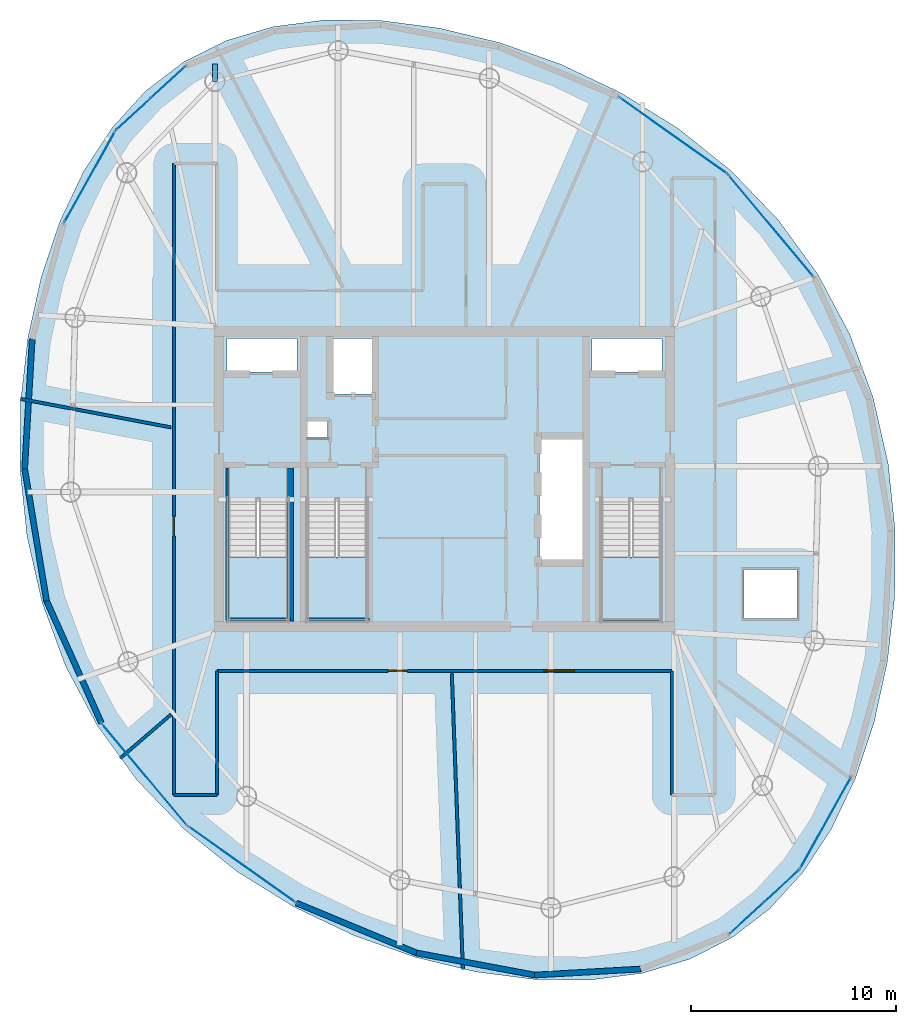
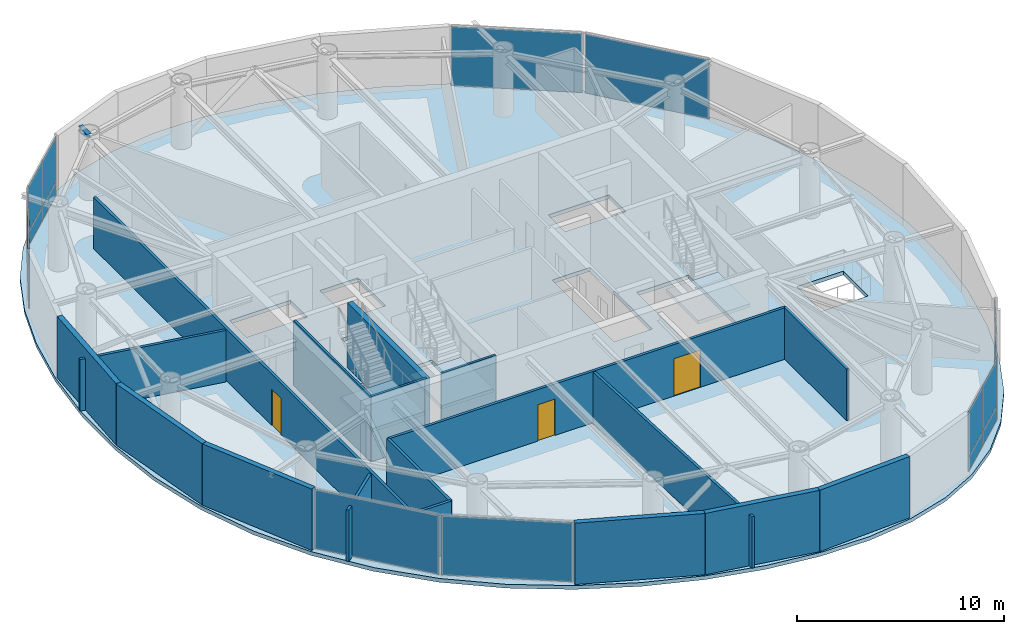
# One storey, part 11 of 17: 18 walls, 14 plates, 4 slabs, 3 doors, 1 beam, 3 openings, 11 elements without a shape of their own.
"""IFC4 building model written with IfcOpenShell, lengths in metres."""

from ifc_helpers import new_model, si_unit, direction, frame, frame_2d, origin, origin_2d, place, context, subcontext, project, spatial, polyline, rectangle, i_section, outline, extrude, material, layer, layer_set, material_profile, profile_set, type_object, element, fill, aggregate, save


model = new_model("IFC4")

# Units and contexts
model_context = context("Model", 3, precision=1e-05, world=origin(), true_north=direction((0.0, 1.0)))
body_context = subcontext(model_context, "Body", "Model", "MODEL_VIEW")
ifc_project = project(units=[si_unit("LENGTHUNIT", "METRE"), si_unit("AREAUNIT", "SQUARE_METRE"), si_unit("VOLUMEUNIT", "CUBIC_METRE"), si_unit("PLANEANGLEUNIT", "RADIAN"), si_unit("MASSUNIT", "GRAM", prefix="KILO")], contexts=[model_context])

# Site, building, storey
site_placement = place(None, origin())
site = spatial("IfcSite", under=ifc_project, at=site_placement, CompositionType="ELEMENT")
building_placement = place(site_placement, origin())
building = spatial("IfcBuilding", under=site, at=building_placement, Name="Bramvorn Convention Spire", CompositionType="ELEMENT")
storey_placement = place(building_placement, frame((0.0, 0.0, 265.14990234375)))
storey = spatial("IfcBuildingStorey", under=building, at=storey_placement, Name="L67", CompositionType="ELEMENT", Elevation=265.14990234375)

# Beam
ifc_material_1 = material(Name="Steel CSA G40.21 Grade 350 (350W)", Category="steel")
ifc_material_profile = material_profile(ifc_material_1, i_section(OverallWidth=0.25390625, OverallDepth=0.2529296875, WebThickness=0.008544921875, FlangeThickness=0.01416015625, FilletRadius=0.011962890625, at=origin_2d()))
ifc_profile_set = profile_set([ifc_material_profile], Name="Steel CSA G40.21 Grade 350 (350W) - W250X73")
beam_type = type_object("IfcBeamType", Name="BM-W250X73", PredefinedType="BEAM", material=ifc_profile_set)
beam_placement = place(storey_placement, frame((26.800048828125, 45.39892578125, 3.49853515625), z_axis=(0.0, 1.0, 0.0), x_axis=(-1.0, 0.0, 0.0)))
element("IfcBeam", 1, at=beam_placement, inside=storey, type_object=beam_type, Name="L67 slab-edge cantilever tip beam MC09", PredefinedType="BEAM", context=body_context, shape_type="SweptSolid", body=[
    extrude(i_section(OverallWidth=0.25390625, OverallDepth=0.2529296875, WebThickness=0.008544921875, FlangeThickness=0.01416015625, FilletRadius=0.011962890625, at=origin_2d()), origin(), (0.0, 0.0, 1.0), 0.851806640625),
])

# Curtain wall, plates
ifc_material_2 = material(Name="Anodised Bronze Unitised Curtain Wall", Category="aluminium")
ifc_layer_1 = layer(ifc_material_2, 0.179931640625)
ifc_layer_set_1 = layer_set([ifc_layer_1], Name="Anodised Bronze Unitised Curtain Wall - CW-OFF-FRIT")
curtain_wall_type = type_object("IfcCurtainWallType", Name="CW-OFF-FRIT", PredefinedType="USERDEFINED", material=ifc_layer_set_1)
curtain_wall_1_placement = place(storey_placement, origin())
curtain_wall_1 = element("IfcCurtainWall", 2, at=curtain_wall_1_placement, inside=storey, type_object=curtain_wall_type, Name="L67 fritted glass curtain wall 01", ObjectType="UNITISED CURTAIN WALL", PredefinedType="USERDEFINED")
ifc_material_3 = material(Name="Laminated Low-E Glass (Triple IGU High-VLT Low-Iron 22%)", Category="glass")
ifc_layer_2 = layer(ifc_material_3, 0.0419921875)
ifc_layer_set_2 = layer_set([ifc_layer_2], Name="Laminated Low-E Glass (Triple IGU High-VLT Low-Iron 22%) - PNL-IGU-4")
plate_type = type_object("IfcPlateType", Name="PNL-IGU-4", PredefinedType="CURTAIN_PANEL", material=ifc_layer_set_2)
plate_1_placement = place(storey_placement, frame((54.44921875, 6.160888671875, 0.06005859375), z_axis=(0.0, 0.0, 1.0), x_axis=(-0.736136685891, -0.676832903814, 0.0)))
plate_1 = element("IfcPlate", 3, at=plate_1_placement, type_object=plate_type, Name="CW3 panel 1.1", PredefinedType="CURTAIN_PANEL", context=body_context, shape_type="SweptSolid", body=[
    extrude(rectangle(XDim=2.2353515625, YDim=0.028076171875, at=origin_2d()), origin(), (0.0, 0.0, 1.0), 0.81005859375),
])
plate_2_placement = place(storey_placement, frame((54.44921875, 6.160888671875, 0.93017578125), z_axis=(0.0, 0.0, 1.0), x_axis=(-0.736136685891, -0.676832903814, 0.0)))
plate_2 = element("IfcPlate", 4, at=plate_2_placement, type_object=plate_type, Name="CW3 panel 1.2", PredefinedType="CURTAIN_PANEL", context=body_context, shape_type="SweptSolid", body=[
    extrude(rectangle(XDim=2.2353515625, YDim=0.028076171875, at=origin_2d()), origin(), (0.0, 0.0, 1.0), 2.635009765625),
])
plate_3_placement = place(storey_placement, frame((52.759521484375, 4.607177734375, 0.06005859375), z_axis=(0.0, 0.0, 1.0), x_axis=(-0.736136685891, -0.676832903814, 0.0)))
plate_3 = element("IfcPlate", 5, at=plate_3_placement, type_object=plate_type, Name="CW3 panel 2.1", PredefinedType="CURTAIN_PANEL", context=body_context, shape_type="SweptSolid", body=[
    extrude(rectangle(XDim=2.2353515625, YDim=0.028076171875, at=origin_2d()), origin(), (0.0, 0.0, 1.0), 0.81005859375),
])
plate_4_placement = place(storey_placement, frame((52.759521484375, 4.607177734375, 0.93017578125), z_axis=(0.0, 0.0, 1.0), x_axis=(-0.736136685891, -0.676832903814, 0.0)))
plate_4 = element("IfcPlate", 6, at=plate_4_placement, type_object=plate_type, Name="CW3 panel 2.2", PredefinedType="CURTAIN_PANEL", context=body_context, shape_type="SweptSolid", body=[
    extrude(rectangle(XDim=2.2353515625, YDim=0.028076171875, at=origin_2d()), origin(), (0.0, 0.0, 1.0), 2.635009765625),
])
aggregate(curtain_wall_1, [plate_1, plate_2, plate_3, plate_4])

# Curtain wall, plate
curtain_wall_2_placement = place(storey_placement, origin())
curtain_wall_2 = element("IfcCurtainWall", 7, at=curtain_wall_2_placement, inside=storey, type_object=curtain_wall_type, Name="L67 fritted glass curtain wall 02", ObjectType="UNITISED CURTAIN WALL", PredefinedType="USERDEFINED")
plate_5_placement = place(storey_placement, frame((56.577392578125, 9.219482421875, 0.06005859375), z_axis=(0.0, 0.0, 1.0), x_axis=(-0.487014500767, -0.873393883676, 0.0)))
plate_5 = element("IfcPlate", 8, at=plate_5_placement, type_object=plate_type, Name="CW3 panel 1.1", PredefinedType="CURTAIN_PANEL", context=body_context, shape_type="SweptSolid", body=[
    extrude(rectangle(XDim=5.05908203125, YDim=0.028076171875, at=origin_2d()), origin(), (0.0, 0.0, 1.0), 3.5048828125),
])
aggregate(curtain_wall_2, [plate_5])

curtain_wall_3_placement = place(storey_placement, origin())
curtain_wall_3 = element("IfcCurtainWall", 9, at=curtain_wall_3_placement, inside=storey, type_object=curtain_wall_type, Name="L67 fritted glass curtain wall 07", ObjectType="UNITISED CURTAIN WALL", PredefinedType="USERDEFINED")
plate_6_placement = place(storey_placement, frame((53.916259765625, 38.363037109375, 0.06005859375), z_axis=(0.0, 0.0, 1.0), x_axis=(0.64186920143, -0.766814141925, 0.0)))
plate_6 = element("IfcPlate", 10, at=plate_6_placement, type_object=plate_type, Name="CW3 panel 1.1", PredefinedType="CURTAIN_PANEL", context=body_context, shape_type="SweptSolid", body=[
    extrude(rectangle(XDim=6.406982421875, YDim=0.028076171875, at=origin_2d()), origin(), (0.0, 0.0, 1.0), 3.5048828125),
])
aggregate(curtain_wall_3, [plate_6])

curtain_wall_4_placement = place(storey_placement, origin())
curtain_wall_4 = element("IfcCurtainWall", 11, at=curtain_wall_4_placement, inside=storey, type_object=curtain_wall_type, Name="L67 fritted glass curtain wall 08", ObjectType="UNITISED CURTAIN WALL", PredefinedType="USERDEFINED")
plate_7_placement = place(storey_placement, frame((49.15966796875, 42.753173828125, 0.06005859375), z_axis=(0.0, 0.0, 1.0), x_axis=(0.81570725684, -0.578464926455, 0.0)))
plate_7 = element("IfcPlate", 12, at=plate_7_placement, type_object=plate_type, Name="CW3 panel 1.1", PredefinedType="CURTAIN_PANEL", context=body_context, shape_type="SweptSolid", body=[
    extrude(rectangle(XDim=6.40625, YDim=0.028076171875, at=origin_2d()), origin(), (0.0, 0.0, 1.0), 3.5048828125),
])
aggregate(curtain_wall_4, [plate_7])

# Curtain wall, plates
curtain_wall_5_placement = place(storey_placement, origin())
curtain_wall_5 = element("IfcCurtainWall", 13, at=curtain_wall_5_placement, inside=storey, type_object=curtain_wall_type, Name="L67 fritted glass curtain wall 13", ObjectType="UNITISED CURTAIN WALL", PredefinedType="USERDEFINED")
plate_8_placement = place(storey_placement, frame((22.82421875, 43.804931640625, 0.06005859375), z_axis=(0.0, 0.0, 1.0), x_axis=(0.736136685891, 0.676832903814, 0.0)))
plate_8 = element("IfcPlate", 14, at=plate_8_placement, type_object=plate_type, Name="CW3 panel 1.1", PredefinedType="CURTAIN_PANEL", context=body_context, shape_type="SweptSolid", body=[
    extrude(rectangle(XDim=2.2353515625, YDim=0.028076171875, at=origin_2d()), origin(), (0.0, 0.0, 1.0), 0.81005859375),
])
plate_9_placement = place(storey_placement, frame((22.82421875, 43.804931640625, 0.93017578125), z_axis=(0.0, 0.0, 1.0), x_axis=(0.736136685891, 0.676832903814, 0.0)))
plate_9 = element("IfcPlate", 15, at=plate_9_placement, type_object=plate_type, Name="CW3 panel 1.2", PredefinedType="CURTAIN_PANEL", context=body_context, shape_type="SweptSolid", body=[
    extrude(rectangle(XDim=2.2353515625, YDim=0.028076171875, at=origin_2d()), origin(), (0.0, 0.0, 1.0), 2.635009765625),
])
plate_10_placement = place(storey_placement, frame((24.513916015625, 45.358642578125, 0.06005859375), z_axis=(0.0, 0.0, 1.0), x_axis=(0.736136685891, 0.676832903814, 0.0)))
plate_10 = element("IfcPlate", 16, at=plate_10_placement, type_object=plate_type, Name="CW3 panel 2.1", PredefinedType="CURTAIN_PANEL", context=body_context, shape_type="SweptSolid", body=[
    extrude(rectangle(XDim=2.2353515625, YDim=0.028076171875, at=origin_2d()), origin(), (0.0, 0.0, 1.0), 0.81005859375),
])
plate_11_placement = place(storey_placement, frame((24.513916015625, 45.358642578125, 0.93017578125), z_axis=(0.0, 0.0, 1.0), x_axis=(0.736136685891, 0.676832903814, 0.0)))
plate_11 = element("IfcPlate", 17, at=plate_11_placement, type_object=plate_type, Name="CW3 panel 2.2", PredefinedType="CURTAIN_PANEL", context=body_context, shape_type="SweptSolid", body=[
    extrude(rectangle(XDim=2.2353515625, YDim=0.028076171875, at=origin_2d()), origin(), (0.0, 0.0, 1.0), 2.635009765625),
])
aggregate(curtain_wall_5, [plate_8, plate_9, plate_10, plate_11])

# Curtain wall, plate
curtain_wall_6_placement = place(storey_placement, origin())
curtain_wall_6 = element("IfcCurtainWall", 18, at=curtain_wall_6_placement, inside=storey, type_object=curtain_wall_type, Name="L67 fritted glass curtain wall 14", ObjectType="UNITISED CURTAIN WALL", PredefinedType="USERDEFINED")
plate_12_placement = place(storey_placement, frame((20.6962890625, 40.74609375, 0.06005859375), z_axis=(0.0, 0.0, 1.0), x_axis=(0.487029229292, 0.873385670718, 0.0)))
plate_12 = element("IfcPlate", 19, at=plate_12_placement, type_object=plate_type, Name="CW3 panel 1.1", PredefinedType="CURTAIN_PANEL", context=body_context, shape_type="SweptSolid", body=[
    extrude(rectangle(XDim=5.05908203125, YDim=0.028076171875, at=origin_2d()), origin(), (0.0, 0.0, 1.0), 3.5048828125),
])
aggregate(curtain_wall_6, [plate_12])

curtain_wall_7_placement = place(storey_placement, origin())
curtain_wall_7 = element("IfcCurtainWall", 20, at=curtain_wall_7_placement, inside=storey, type_object=curtain_wall_type, Name="L67 fritted glass curtain wall 19", ObjectType="UNITISED CURTAIN WALL", PredefinedType="USERDEFINED")
plate_13_placement = place(storey_placement, frame((23.357421875, 11.602783203125, 0.06005859375), z_axis=(0.0, 0.0, 1.0), x_axis=(-0.641878210255, 0.76680660091, 0.0)))
plate_13 = element("IfcPlate", 21, at=plate_13_placement, type_object=plate_type, Name="CW3 panel 1.1", PredefinedType="CURTAIN_PANEL", context=body_context, shape_type="SweptSolid", body=[
    extrude(rectangle(XDim=6.406982421875, YDim=0.028076171875, at=origin_2d()), origin(), (0.0, 0.0, 1.0), 3.5048828125),
])
aggregate(curtain_wall_7, [plate_13])

curtain_wall_8_placement = place(storey_placement, origin())
curtain_wall_8 = element("IfcCurtainWall", 22, at=curtain_wall_8_placement, inside=storey, type_object=curtain_wall_type, Name="L67 fritted glass curtain wall 20", ObjectType="UNITISED CURTAIN WALL", PredefinedType="USERDEFINED")
plate_14_placement = place(storey_placement, frame((28.11376953125, 7.212646484375, 0.06005859375), z_axis=(0.0, 0.0, 1.0), x_axis=(-0.815702129414, 0.578472156694, 0.0)))
plate_14 = element("IfcPlate", 23, at=plate_14_placement, type_object=plate_type, Name="CW3 panel 1.1", PredefinedType="CURTAIN_PANEL", context=body_context, shape_type="SweptSolid", body=[
    extrude(rectangle(XDim=6.40625, YDim=0.028076171875, at=origin_2d()), origin(), (0.0, 0.0, 1.0), 3.5048828125),
])
aggregate(curtain_wall_8, [plate_14])

# Stair, slab
ifc_material_4 = material(Name="Concrete C40/50 Precast Stair", Category="concrete")
stair_type = type_object("IfcStairType", Name="ST-TOWER-1550", PredefinedType="HALF_TURN_STAIR", material=ifc_material_4)
stair_1_placement = place(storey_placement, origin())
stair_1 = element("IfcStair", 24, at=stair_1_placement, inside=storey, type_object=stair_type, Name="L67 Protected Exit Stair ST1", PredefinedType="HALF_TURN_STAIR")
ifc_material_5 = material(Name="Concrete C40/50 Stair Landing", Category="concrete")
ifc_layer_3 = layer(ifc_material_5, 0.219970703125)
ifc_layer_set_3 = layer_set([ifc_layer_3], Name="Concrete C40/50 Stair Landing - SLB-STAIR-LANDING")
slab_type_1 = type_object("IfcSlabType", Name="SLB-STAIR-LANDING", PredefinedType="LANDING", material=ifc_layer_set_3)
slab_1_placement = place(storey_placement, frame((0.0, 0.0, 1.72509765625)))
slab_1 = element("IfcSlab", 25, at=slab_1_placement, type_object=slab_type_1, Name="ST1 landing 1", PredefinedType="LANDING", context=body_context, shape_type="SweptSolid", body=[
    extrude(outline(polyline([(27.449951171875, 22.199951171875), (27.449951171875, 19.10009765625), (30.35009765625, 19.10009765625), (30.35009765625, 22.199951171875), (27.449951171875, 22.199951171875)])), origin(), (0.0, 0.0, 1.0), 0.199951171875),
])
aggregate(stair_1, [slab_1])

stair_2_placement = place(storey_placement, origin())
stair_2 = element("IfcStair", 26, at=stair_2_placement, inside=storey, type_object=stair_type, Name="L67 Protected Exit Stair ST2", PredefinedType="HALF_TURN_STAIR")
slab_2_placement = place(storey_placement, frame((0.0, 0.0, 1.72509765625)))
slab_2 = element("IfcSlab", 27, at=slab_2_placement, type_object=slab_type_1, Name="ST2 landing 1", PredefinedType="LANDING", context=body_context, shape_type="SweptSolid", body=[
    extrude(outline(polyline([(45.64990234375, 22.199951171875), (45.64990234375, 19.10009765625), (48.550048828125, 19.10009765625), (48.550048828125, 22.199951171875), (45.64990234375, 22.199951171875)])), origin(), (0.0, 0.0, 1.0), 0.199951171875),
])
aggregate(stair_2, [slab_2])

stair_3_placement = place(storey_placement, origin())
stair_3 = element("IfcStair", 28, at=stair_3_placement, inside=storey, type_object=stair_type, Name="L67 Protected Exit Stair ST3", PredefinedType="HALF_TURN_STAIR")
slab_3_placement = place(storey_placement, frame((0.0, 0.0, 1.72509765625)))
slab_3 = element("IfcSlab", 29, at=slab_3_placement, type_object=slab_type_1, Name="ST3 landing 1", PredefinedType="LANDING", context=body_context, shape_type="SweptSolid", body=[
    extrude(outline(polyline([(31.300048828125, 22.199951171875), (31.300048828125, 19.10009765625), (34.199951171875, 19.10009765625), (34.199951171875, 22.199951171875), (31.300048828125, 22.199951171875)])), origin(), (0.0, 0.0, 1.0), 0.199951171875),
])
aggregate(stair_3, [slab_3])

# Slab
ifc_material_6 = material(Name="Concrete C40/50", Category="concrete")
ifc_layer_4 = layer(ifc_material_6, 0.22509765625)
ifc_layer_set_4 = layer_set([ifc_layer_4], Name="Concrete C40/50 - SLB-Z4-225")
slab_type_2 = type_object("IfcSlabType", Name="SLB-Z4-225", PredefinedType="FLOOR", material=ifc_layer_set_4)
slab_4_placement = place(storey_placement, frame((0.0, 0.0, -0.224853515625)))
element("IfcSlab", 30, at=slab_4_placement, inside=storey, type_object=slab_type_2, Name="L67 tower floor slab", PredefinedType="FLOOR", context=body_context, shape_type="SweptSolid", body=[
    extrude(outline(polyline([(52.009521484375, 3.623779296875), (53.85498046875, 5.03369140625), (55.473876953125, 6.805908203125), (56.86669921875, 8.927978515625), (58.029296875, 11.3759765625), (58.947509765625, 14.111572265625), (59.599853515625, 17.084228515625), (59.95556640625, 20.230712890625), (59.980224609375, 23.47998046875), (59.6396484375, 26.754638671875), (58.906005859375, 29.97802734375), (57.763427734375, 33.076904296875), (56.21240234375, 35.986572265625), (54.2724609375, 38.65283203125), (51.98388671875, 41.034423828125), (49.40478515625, 43.102294921875), (46.607666015625, 44.839111328125), (43.674072265625, 46.236083984375), (40.68798828125, 47.29052734375), (37.729248046875, 48.002197265625), (34.8671875, 48.37109375), (32.157470703125, 48.39453125), (29.639892578125, 48.068603515625), (27.338623046875, 47.386474609375), (25.26416015625, 46.342041015625), (23.418701171875, 44.93212890625), (21.7998046875, 43.159912109375), (20.40673828125, 41.03759765625), (19.244384765625, 38.58984375), (18.325927734375, 35.854248046875), (17.673583984375, 32.881591796875), (17.318115234375, 29.735107421875), (17.29345703125, 26.48583984375), (17.6337890625, 23.211181640625), (18.367431640625, 19.98779296875), (19.510009765625, 16.888916015625), (21.061279296875, 13.979248046875), (23.001220703125, 11.31298828125), (25.289794921875, 8.931396484375), (27.868896484375, 6.863525390625), (30.666015625, 5.126708984375), (33.599609375, 3.729736328125), (36.58544921875, 2.67529296875), (39.54443359375, 1.96337890625), (42.406494140625, 1.5947265625), (45.1162109375, 1.571044921875), (47.633544921875, 1.897216796875), (49.93505859375, 2.579345703125), (52.009521484375, 3.623779296875)]), holes=[polyline([(27.449951171875, 25.050048828125), (27.449951171875, 19.10009765625), (30.35009765625, 19.10009765625), (30.35009765625, 25.050048828125), (27.449951171875, 25.050048828125)]), polyline([(45.64990234375, 25.050048828125), (45.64990234375, 19.10009765625), (48.550048828125, 19.10009765625), (48.550048828125, 25.050048828125), (45.64990234375, 25.050048828125)]), polyline([(31.300048828125, 25.050048828125), (31.300048828125, 19.10009765625), (34.199951171875, 19.10009765625), (34.199951171875, 25.050048828125), (31.300048828125, 25.050048828125)]), polyline([(27.39990234375, 31.219970703125), (30.800048828125, 31.219970703125), (30.800048828125, 32.85009765625), (27.39990234375, 32.85009765625), (27.39990234375, 31.219970703125)]), polyline([(45.199951171875, 31.219970703125), (48.60009765625, 31.219970703125), (48.60009765625, 32.85009765625), (45.199951171875, 32.85009765625), (45.199951171875, 31.219970703125)]), polyline([(32.449951171875, 30.14990234375), (34.56005859375, 30.14990234375), (34.56005859375, 32.85009765625), (32.449951171875, 32.85009765625), (32.449951171875, 30.14990234375)]), polyline([(42.6201171875, 22.0), (44.75, 22.0), (44.75, 28.0), (42.6201171875, 28.0), (42.6201171875, 22.0)]), polyline([(31.320068359375, 28.02001953125), (32.280029296875, 28.02001953125), (32.280029296875, 28.820068359375), (31.320068359375, 28.820068359375), (31.320068359375, 28.02001953125)]), polyline([(52.60009765625, 19.199951171875), (55.199951171875, 19.199951171875), (55.199951171875, 21.60009765625), (52.60009765625, 21.60009765625), (52.60009765625, 19.199951171875)])]), origin(), (0.0, 0.0, 1.0), 0.224853515625),
])

# Walls
ifc_material_7 = material(Name="Precast Concrete C40/50 with Bronze Terracotta Rainscreen", Category="masonry")
ifc_layer_5 = layer(ifc_material_7, 0.300048828125)
ifc_layer_set_5 = layer_set([ifc_layer_5], Name="Precast Concrete C40/50 with Bronze Terracotta Rainscreen - WL-EXT-BRONZE-300")
wall_type_1 = type_object("IfcWallType", Name="WL-EXT-BRONZE-300", PredefinedType="SOLIDWALL", material=ifc_layer_set_5)
wall_1_placement = place(storey_placement, frame((17.519775390625, 26.497802734375, 0.0), z_axis=(0.0, 0.0, 1.0), x_axis=(0.058061140862, 0.998313029025, 0.0)))
element("IfcWall", 31, at=wall_1_placement, inside=storey, type_object=wall_type_1, Name="L67 expressed bronze Gothic lancet pier wall 16", PredefinedType="SOLIDWALL", context=body_context, shape_type="SweptSolid", body=[
    extrude(rectangle(XDim=6.34521484375, YDim=0.280029296875, at=frame_2d((3.172607421875, 0.0))), origin(), (0.0, 0.0, 1.0), 3.625),
])
wall_2_placement = place(storey_placement, frame((18.59033203125, 20.06005859375, 0.0), z_axis=(0.0, 0.0, 1.0), x_axis=(-0.164041057691, 0.986453512028, 0.0)))
element("IfcWall", 32, at=wall_2_placement, inside=storey, type_object=wall_type_1, Name="L67 expressed bronze Gothic lancet pier wall 17", PredefinedType="SOLIDWALL", context=body_context, shape_type="SweptSolid", body=[
    extrude(rectangle(XDim=6.526123046875, YDim=0.280029296875, at=frame_2d((3.26318359375, 0.0))), origin(), (0.0, 0.0, 1.0), 3.625),
])
wall_3_placement = place(storey_placement, frame((21.2626953125, 14.105224609375, 0.0), z_axis=(0.0, 0.0, 1.0), x_axis=(-0.409432842819, 0.912340258468, 0.0)))
element("IfcWall", 33, at=wall_3_placement, inside=storey, type_object=wall_type_1, Name="L67 expressed bronze Gothic lancet pier wall 18", PredefinedType="SOLIDWALL", context=body_context, shape_type="SweptSolid", body=[
    extrude(rectangle(XDim=6.527099609375, YDim=0.280029296875, at=frame_2d((3.263671875, 0.0))), origin(), (0.0, 0.0, 1.0), 3.625),
])
wall_4_placement = place(storey_placement, frame((36.634765625, 2.8896484375, 0.0), z_axis=(0.0, 0.0, 1.0), x_axis=(-0.923404423641, 0.38382843876, 0.0)))
element("IfcWall", 34, at=wall_4_placement, inside=storey, type_object=wall_type_1, Name="L67 expressed bronze Gothic lancet pier wall 21", PredefinedType="SOLIDWALL", context=body_context, shape_type="SweptSolid", body=[
    extrude(rectangle(XDim=6.345458984375, YDim=0.280029296875, at=frame_2d((3.1728515625, 0.0))), origin(), (0.0, 0.0, 1.0), 3.625),
])
wall_5_placement = place(storey_placement, frame((42.39501953125, 1.812255859375, 0.0), z_axis=(0.0, 0.0, 1.0), x_axis=(-0.982954154171, 0.183850838449, 0.0)))
element("IfcWall", 35, at=wall_5_placement, inside=storey, type_object=wall_type_1, Name="L67 expressed bronze Gothic lancet pier wall 22", PredefinedType="SOLIDWALL", context=body_context, shape_type="SweptSolid", body=[
    extrude(rectangle(XDim=5.860107421875, YDim=0.280029296875, at=frame_2d((2.93017578125, 0.0))), origin(), (0.0, 0.0, 1.0), 3.625),
])
wall_6_placement = place(storey_placement, frame((47.56591796875, 2.10546875, 0.0), z_axis=(0.0, 0.0, 1.0), x_axis=(-0.998396170021, -0.056613493871, 0.0)))
element("IfcWall", 36, at=wall_6_placement, inside=storey, type_object=wall_type_1, Name="L67 expressed bronze Gothic lancet pier wall 23", PredefinedType="SOLIDWALL", context=body_context, shape_type="SweptSolid", body=[
    extrude(rectangle(XDim=5.17919921875, YDim=0.280029296875, at=frame_2d((2.589599609375, 0.0))), origin(), (0.0, 0.0, 1.0), 3.625),
])

# Wall, openings, doors
ifc_material_8 = material(Name="Acoustic Metal-Stud Tenant/Corridor Partition", Category="gypsum")
ifc_layer_6 = layer(ifc_material_8, 0.14990234375)
ifc_layer_set_6 = layer_set([ifc_layer_6], Name="Acoustic Metal-Stud Tenant/Corridor Partition - WL-PART-150")
wall_type_2 = type_object("IfcWallType", Name="WL-PART-150", PredefinedType="PARTITIONING", material=ifc_layer_set_6)
wall_7_placement = place(storey_placement, frame((26.89990234375, 16.64990234375, 0.0), z_axis=(0.0, 0.0, 1.0), x_axis=(1.0, 0.0, 0.0)))
wall_7 = element("IfcWall", 37, at=wall_7_placement, inside=storey, type_object=wall_type_2, Name="L67 South H-crossbar wall", PredefinedType="PARTITIONING", context=body_context, shape_type="SweptSolid", body=[
    extrude(rectangle(XDim=22.2001953125, YDim=0.14990234375, at=frame_2d((11.10009765625, 0.0))), origin(), (0.0, 0.0, 1.0), 3.0400390625),
])
opening_1_placement = place(wall_7_placement, frame((8.337890625, 0.0, 0.0)))
opening_1 = element("IfcOpeningElement", 38, at=opening_1_placement, cuts=wall_7, Name="Opening DH-095", PredefinedType="OPENING", context=body_context, shape_type="SweptSolid", body=[
    extrude(rectangle(XDim=0.949951171875, YDim=2.14990234375, at=frame_2d((0.47509765625, 1.074951171875))), frame((0.0, 0.0849609375, 0.0), z_axis=(0.0, -1.0, 0.0), x_axis=(1.0, 0.0, 0.0)), (0.0, 0.0, 1.0), 0.169921875),
])
opening_2_placement = place(wall_7_placement, frame((15.928955078125, 0.0, 0.0)))
opening_2 = element("IfcOpeningElement", 39, at=opening_2_placement, cuts=wall_7, Name="Opening DC-150", PredefinedType="OPENING", context=body_context, shape_type="SweptSolid", body=[
    extrude(rectangle(XDim=1.5, YDim=2.199951171875, at=frame_2d((0.75, 1.10009765625))), frame((0.0, 0.0849609375, 0.0), z_axis=(0.0, -1.0, 0.0), x_axis=(1.0, 0.0, 0.0)), (0.0, 0.0, 1.0), 0.169921875),
])
ifc_material_9 = material(Name="Double-Leaf Smoke-Control Corridor Door", Category="wood")
door_type_1 = type_object("IfcDoorType", Name="DR-COR-1500", OperationType="NOTDEFINED", PredefinedType="DOOR", material=ifc_material_9)
door_1_placement = place(opening_2_placement, origin())
door_1 = element("IfcDoor", 40, at=door_1_placement, inside=storey, type_object=door_type_1, Name="L67 Reception Gallery 6 door", OperationType="DOUBLE_DOOR_SINGLE_SWING", OverallHeight=2.199951171875, OverallWidth=1.5, PredefinedType="DOOR", context=body_context, shape_type="SweptSolid", body=[
    extrude(rectangle(XDim=1.5, YDim=2.199951171875, at=frame_2d((0.75, 1.10009765625))), frame((0.0, 0.02490234375, 0.0), z_axis=(0.0, -1.0, 0.0), x_axis=(1.0, 0.0, 0.0)), (0.0, 0.0, 1.0), 0.050048828125),
])
fill(opening_2, door_1)
ifc_material_10 = material(Name="Solid-Core Acoustic Guestroom Entry Door", Category="wood")
door_type_2 = type_object("IfcDoorType", Name="DR-HOTEL-950", OperationType="NOTDEFINED", PredefinedType="DOOR", material=ifc_material_10)
door_2_placement = place(opening_1_placement, origin())
door_2 = element("IfcDoor", 41, at=door_2_placement, inside=storey, type_object=door_type_2, Name="L67 Managing Director Office 5 door", OperationType="SINGLE_SWING_LEFT", OverallHeight=2.14990234375, OverallWidth=0.949951171875, PredefinedType="DOOR", context=body_context, shape_type="SweptSolid", body=[
    extrude(rectangle(XDim=0.949951171875, YDim=2.14990234375, at=frame_2d((0.47509765625, 1.074951171875))), frame((0.0, 0.02490234375, 0.0), z_axis=(0.0, -1.0, 0.0), x_axis=(1.0, 0.0, 0.0)), (0.0, 0.0, 1.0), 0.050048828125),
])
fill(opening_1, door_2)

# Wall, opening, door
wall_8_placement = place(storey_placement, frame((24.800048828125, 10.60009765625, 0.0), z_axis=(0.0, 0.0, 1.0), x_axis=(0.0, 1.0, 0.0)))
wall_8 = element("IfcWall", 42, at=wall_8_placement, inside=storey, type_object=wall_type_2, Name="L67 West N-S gallery outer wall", PredefinedType="PARTITIONING", context=body_context, shape_type="SweptSolid", body=[
    extrude(rectangle(XDim=30.7998046875, YDim=0.14990234375, at=frame_2d((15.39990234375, 0.0))), origin(), (0.0, 0.0, 1.0), 3.0400390625),
])
opening_3_placement = place(wall_8_placement, frame((12.63232421875, 0.0, 0.0)))
opening_3 = element("IfcOpeningElement", 43, at=opening_3_placement, cuts=wall_8, Name="Opening DH-095", PredefinedType="OPENING", context=body_context, shape_type="SweptSolid", body=[
    extrude(rectangle(XDim=0.949951171875, YDim=2.14990234375, at=frame_2d((0.47509765625, 1.074951171875))), frame((0.0, 0.0849609375, 0.0), z_axis=(0.0, -1.0, 0.0), x_axis=(1.0, 0.0, 0.0)), (0.0, 0.0, 1.0), 0.169921875),
])
door_3_placement = place(opening_3_placement, origin())
door_3 = element("IfcDoor", 44, at=door_3_placement, inside=storey, type_object=door_type_2, Name="L67 C-Suite Meeting Boardroom 4 door", OperationType="SINGLE_SWING_RIGHT", OverallHeight=2.14990234375, OverallWidth=0.949951171875, PredefinedType="DOOR", context=body_context, shape_type="SweptSolid", body=[
    extrude(rectangle(XDim=0.949951171875, YDim=2.14990234375, at=frame_2d((0.47509765625, 1.074951171875))), frame((0.0, 0.02490234375, 0.0), z_axis=(0.0, -1.0, 0.0), x_axis=(1.0, 0.0, 0.0)), (0.0, 0.0, 1.0), 0.050048828125),
])
fill(opening_3, door_3)

# Walls
wall_9_placement = place(storey_placement, frame((26.89990234375, 10.60009765625, 0.0), z_axis=(0.0, 0.0, 1.0), x_axis=(0.0, 1.0, 0.0)))
element("IfcWall", 45, at=wall_9_placement, inside=storey, type_object=wall_type_2, Name="L67 West gallery SE wall", PredefinedType="PARTITIONING", context=body_context, shape_type="SweptSolid", body=[
    extrude(rectangle(XDim=6.0498046875, YDim=0.14990234375, at=frame_2d((3.02490234375, 0.0))), origin(), (0.0, 0.0, 1.0), 3.0400390625),
])
wall_10_placement = place(storey_placement, frame((24.800048828125, 10.60009765625, 0.0), z_axis=(0.0, 0.0, 1.0), x_axis=(1.0, 0.0, 0.0)))
element("IfcWall", 46, at=wall_10_placement, inside=storey, type_object=wall_type_2, Name="L67 West gallery south end", PredefinedType="PARTITIONING", context=body_context, shape_type="SweptSolid", body=[
    extrude(rectangle(XDim=2.099853515625, YDim=0.14990234375, at=frame_2d((1.0498046875, 0.0))), origin(), (0.0, 0.0, 1.0), 3.0400390625),
])
wall_11_placement = place(storey_placement, frame((49.10009765625, 10.60009765625, 0.0), z_axis=(0.0, 0.0, 1.0), x_axis=(0.0, 1.0, 0.0)))
element("IfcWall", 47, at=wall_11_placement, inside=storey, type_object=wall_type_2, Name="L67 East gallery SW wall", PredefinedType="PARTITIONING", context=body_context, shape_type="SweptSolid", body=[
    extrude(rectangle(XDim=6.0498046875, YDim=0.14990234375, at=frame_2d((3.02490234375, 0.0))), origin(), (0.0, 0.0, 1.0), 3.0400390625),
])
wall_12_placement = place(storey_placement, frame((24.659912109375, 28.524169921875, 0.0), z_axis=(0.0, 0.0, 1.0), x_axis=(-0.982565735445, 0.185915506428, 0.0)))
element("IfcWall", 48, at=wall_12_placement, inside=storey, type_object=wall_type_2, Name="L67 Tenant suite partition 4", PredefinedType="PARTITIONING", context=body_context, shape_type="SweptSolid", body=[
    extrude(rectangle(XDim=7.482421875, YDim=0.14990234375, at=frame_2d((3.7412109375, 0.0))), origin(), (0.0, 0.0, 1.0), 3.0400390625),
])
wall_13_placement = place(storey_placement, frame((24.659912109375, 14.52001953125, 0.0), z_axis=(0.0, 0.0, 1.0), x_axis=(-0.757932783807, -0.652332656879, 0.0)))
element("IfcWall", 49, at=wall_13_placement, inside=storey, type_object=wall_type_2, Name="L67 Tenant suite partition 5", PredefinedType="PARTITIONING", context=body_context, shape_type="SweptSolid", body=[
    extrude(rectangle(XDim=3.271484375, YDim=0.14990234375, at=frame_2d((1.6357421875, 0.0))), origin(), (0.0, 0.0, 1.0), 3.0400390625),
])
wall_14_placement = place(storey_placement, frame((38.35498046875, 16.510009765625, 0.0), z_axis=(0.0, 0.0, 1.0), x_axis=(0.03740587204, -0.999300155477, 0.0)))
element("IfcWall", 50, at=wall_14_placement, inside=storey, type_object=wall_type_2, Name="L67 Tenant suite partition 6", PredefinedType="PARTITIONING", context=body_context, shape_type="SweptSolid", body=[
    extrude(rectangle(XDim=14.4306640625, YDim=0.14990234375, at=frame_2d((7.21533203125, 0.0))), origin(), (0.0, 0.0, 1.0), 3.0400390625),
])
ifc_material_11 = material(Name="Concrete C50/60", Category="concrete")
ifc_layer_7 = layer(ifc_material_11, 0.300048828125)
ifc_layer_set_7 = layer_set([ifc_layer_7], Name="Concrete C50/60 - WL-POD-STAIR-300")
wall_type_3 = type_object("IfcWallType", Name="WL-POD-STAIR-300", PredefinedType="SHEAR", material=ifc_layer_set_7)
wall_15_placement = place(storey_placement, frame((30.489990234375, 19.050048828125, 0.0), z_axis=(0.0, 0.0, 1.0), x_axis=(0.0, 1.0, 0.0)))
element("IfcWall", 51, at=wall_15_placement, inside=storey, type_object=wall_type_3, Name="L67 ST1 east bearing wall", PredefinedType="SHEAR", context=body_context, shape_type="SweptSolid", body=[
    extrude(rectangle(XDim=7.5, YDim=0.300048828125, at=frame_2d((3.75, 0.0))), origin(), (0.0, 0.0, 1.0), 3.85009765625),
])
ifc_layer_8 = layer(ifc_material_11, 0.1201171875)
ifc_layer_set_8 = layer_set([ifc_layer_8], Name="Concrete C50/60 - WL-STAIR-RC-120")
wall_type_4 = type_object("IfcWallType", Name="WL-STAIR-RC-120", PredefinedType="SHEAR", material=ifc_layer_set_8)
wall_16_placement = place(storey_placement, frame((27.39501953125, 19.10009765625, 0.0), z_axis=(0.0, 0.0, 1.0), x_axis=(0.0, 1.0, 0.0)))
element("IfcWall", 52, at=wall_16_placement, inside=storey, type_object=wall_type_4, Name="L67 ST1 west bearing shear wall", PredefinedType="SHEAR", context=body_context, shape_type="SweptSolid", body=[
    extrude(rectangle(XDim=7.449951171875, YDim=0.1201171875, at=frame_2d((3.72509765625, 0.0))), origin(), (0.0, 0.0, 1.0), 3.85009765625),
])
wall_17_placement = place(storey_placement, frame((27.39501953125, 19.159912109375, 0.0), z_axis=(0.0, 0.0, 1.0), x_axis=(1.0, 0.0, 0.0)))
element("IfcWall", 53, at=wall_17_placement, inside=storey, type_object=wall_type_4, Name="L67 ST1 south bearing shear wall", PredefinedType="SHEAR", context=body_context, shape_type="SweptSolid", body=[
    extrude(rectangle(XDim=3.094970703125, YDim=0.1201171875, at=frame_2d((1.54736328125, 0.0))), origin(), (0.0, 0.0, 1.0), 3.85009765625),
])
wall_18_placement = place(storey_placement, frame((31.300048828125, 19.159912109375, 0.0), z_axis=(0.0, 0.0, 1.0), x_axis=(1.0, 0.0, 0.0)))
element("IfcWall", 54, at=wall_18_placement, inside=storey, type_object=wall_type_4, Name="L67 ST3 south bearing shear wall", PredefinedType="SHEAR", context=body_context, shape_type="SweptSolid", body=[
    extrude(rectangle(XDim=3.0400390625, YDim=0.1201171875, at=frame_2d((1.52001953125, 0.0))), origin(), (0.0, 0.0, 1.0), 3.85009765625),
])

save(model, "model.ifc")
